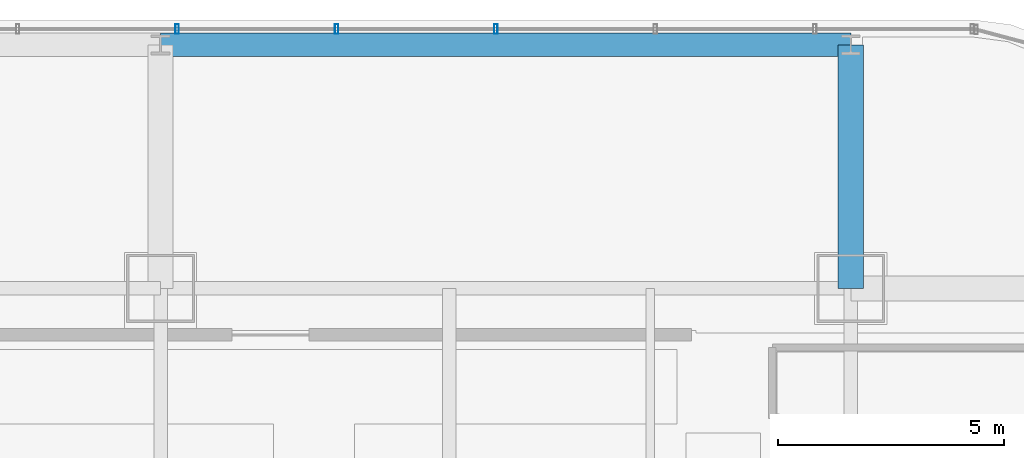
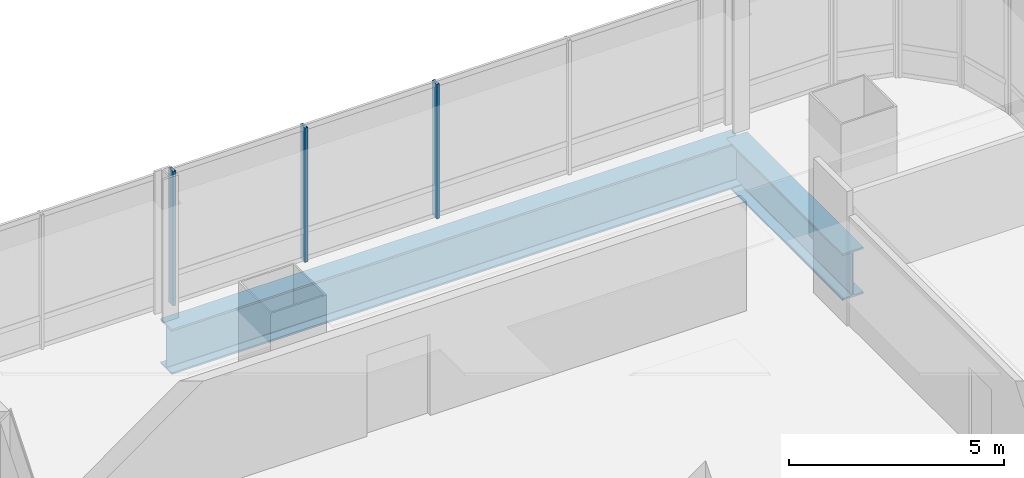
# One storey, part 23 of 34: 3 members, 2 beams, 1 element without a shape of its own.
"""IFC4 building model written with IfcOpenShell, lengths in metres."""

from ifc_helpers import new_model, si_unit, direction, frame, origin, origin_2d, place, context, subcontext, project, spatial, hollow_rectangle, i_section, extrude, material, material_profile, profile_set, type_object, element, aggregate, save


model = new_model("IFC4")

# Units and contexts
model_context = context("Model", 3, precision=1e-05, world=origin(), true_north=direction((0.0, 1.0)))
body_context = subcontext(model_context, "Body", "Model", "MODEL_VIEW")
ifc_project = project(units=[si_unit("LENGTHUNIT", "METRE"), si_unit("AREAUNIT", "SQUARE_METRE"), si_unit("VOLUMEUNIT", "CUBIC_METRE"), si_unit("PLANEANGLEUNIT", "RADIAN"), si_unit("MASSUNIT", "GRAM", prefix="KILO")], contexts=[model_context])

# Site, building, storey
site_placement = place(None, origin())
site = spatial("IfcSite", under=ifc_project, at=site_placement, CompositionType="ELEMENT")
building_placement = place(site_placement, origin())
building = spatial("IfcBuilding", under=site, at=building_placement, Name="Punatoya Terracotta Tower", CompositionType="ELEMENT")
storey_placement = place(building_placement, frame((0.0, 0.0, 101.10009765625)))
storey = spatial("IfcBuildingStorey", under=building, at=storey_placement, Name="L23", CompositionType="ELEMENT", Elevation=101.10009765625)

# Beams
ifc_material_1 = material(Name="Steel S460", Category="steel")
ifc_material_profile_1 = material_profile(ifc_material_1, i_section(OverallWidth=0.56005859375, OverallDepth=1.320068359375, WebThickness=0.035888671875, FlangeThickness=0.054931640625, FilletRadius=0.01806640625, at=origin_2d()))
ifc_profile_set_1 = profile_set([ifc_material_profile_1], Name="Steel S460")
beam_type_1 = type_object("IfcBeamType", Name="BM-TG-BLK", PredefinedType="BEAM", material=ifc_profile_set_1)
beam_1_placement = place(storey_placement, frame((19.10009765625, 17.5, -0.900146484375), z_axis=(0.0, 1.0, 0.0), x_axis=(-1.0, 0.0, 0.0)))
element("IfcBeam", 1, at=beam_1_placement, inside=storey, type_object=beam_type_1, Name="BM-L23-CANT-N4", PredefinedType="BEAM", context=body_context, shape_type="SweptSolid", body=[
    extrude(i_section(OverallWidth=0.56005859375, OverallDepth=1.320068359375, WebThickness=0.035888671875, FlangeThickness=0.054931640625, FilletRadius=0.01806640625, at=origin_2d()), origin(), (0.0, 0.0, 1.0), 5.39990234375),
])
ifc_material_profile_2 = material_profile(ifc_material_1, i_section(OverallWidth=0.52001953125, OverallDepth=1.280029296875, WebThickness=0.031982421875, FlangeThickness=0.050048828125, FilletRadius=0.01806640625, at=origin_2d()))
ifc_profile_set_2 = profile_set([ifc_material_profile_2], Name="Steel S460")
beam_type_2 = type_object("IfcBeamType", Name="BM-TG-NCK", PredefinedType="BEAM", material=ifc_profile_set_2)
beam_2_placement = place(storey_placement, frame((3.800048828125, 22.89990234375, -0.880126953125), z_axis=(1.0, 0.0, 0.0), x_axis=(0.0, 1.0, 0.0)))
element("IfcBeam", 2, at=beam_2_placement, inside=storey, type_object=beam_type_2, Name="BM-L23-PER-N3", PredefinedType="BEAM", context=body_context, shape_type="SweptSolid", body=[
    extrude(i_section(OverallWidth=0.52001953125, OverallDepth=1.280029296875, WebThickness=0.031982421875, FlangeThickness=0.050048828125, FilletRadius=0.01806640625, at=origin_2d()), origin(), (0.0, 0.0, 1.0), 15.300048828125),
])

# Curtain wall, members
ifc_material_2 = material(Name="Aluminium 6063-T6 + Double Low-E Glass", Category="aluminium")
curtain_wall_type = type_object("IfcCurtainWallType", Name="CW-M1", PredefinedType="NOTDEFINED", material=ifc_material_2)
curtain_wall_placement = place(storey_placement, origin())
curtain_wall = element("IfcCurtainWall", 3, at=curtain_wall_placement, inside=storey, type_object=curtain_wall_type, Name="L23 Curtain Wall CW-L23-N09-1", PredefinedType="NOTDEFINED")
ifc_material_3 = material(Name="Aluminium 6063-T6", Category="aluminium")
ifc_material_profile_3 = material_profile(ifc_material_3, hollow_rectangle(XDim=0.074951171875, YDim=0.2099609375, WallThickness=0.00439453125, at=origin_2d()))
ifc_profile_set_3 = profile_set([ifc_material_profile_3], Name="Aluminium 6063-T6")
member_type = type_object("IfcMemberType", Name="CW-MUL-M1", PredefinedType="MULLION", material=ifc_profile_set_3)
member_1_placement = place(storey_placement, frame((11.235107421875, 23.25, 0.0), z_axis=(0.0, 0.0, 1.0), x_axis=(1.0, 0.0, 0.0)))
member_1 = element("IfcMember", 4, at=member_1_placement, type_object=member_type, Name="CW-L23-N09-1 Mullion 03", PredefinedType="MULLION", context=body_context, shape_type="SweptSolid", body=[
    extrude(hollow_rectangle(XDim=0.074951171875, YDim=0.2099609375, WallThickness=0.00439453125, at=origin_2d()), origin(), (0.0, 0.0, 1.0), 3.809814453125),
])
member_2_placement = place(storey_placement, frame((7.700927734375, 23.25, 0.0), z_axis=(0.0, 0.0, 1.0), x_axis=(1.0, 0.0, 0.0)))
member_2 = element("IfcMember", 5, at=member_2_placement, type_object=member_type, Name="CW-L23-N09-1 Mullion 04", PredefinedType="MULLION", context=body_context, shape_type="SweptSolid", body=[
    extrude(hollow_rectangle(XDim=0.074951171875, YDim=0.2099609375, WallThickness=0.00439453125, at=origin_2d()), origin(), (0.0, 0.0, 1.0), 3.809814453125),
])
member_3_placement = place(storey_placement, frame((4.1669921875, 23.25, 0.0), z_axis=(0.0, 0.0, 1.0), x_axis=(1.0, 0.0, 0.0)))
member_3 = element("IfcMember", 6, at=member_3_placement, type_object=member_type, Name="CW-L23-N09-1 Mullion 05", PredefinedType="MULLION", context=body_context, shape_type="SweptSolid", body=[
    extrude(hollow_rectangle(XDim=0.074951171875, YDim=0.2099609375, WallThickness=0.00439453125, at=origin_2d()), origin(), (0.0, 0.0, 1.0), 3.809814453125),
])
aggregate(curtain_wall, [member_1, member_2, member_3])

save(model, "model.ifc")
